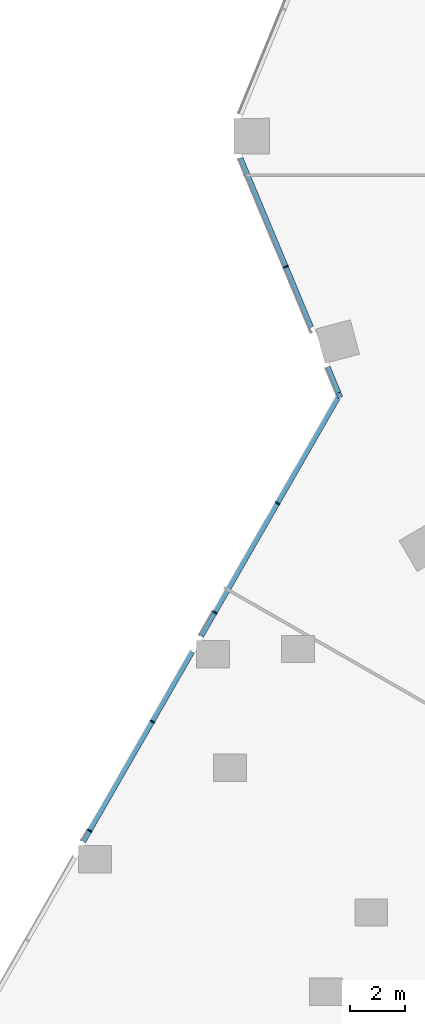
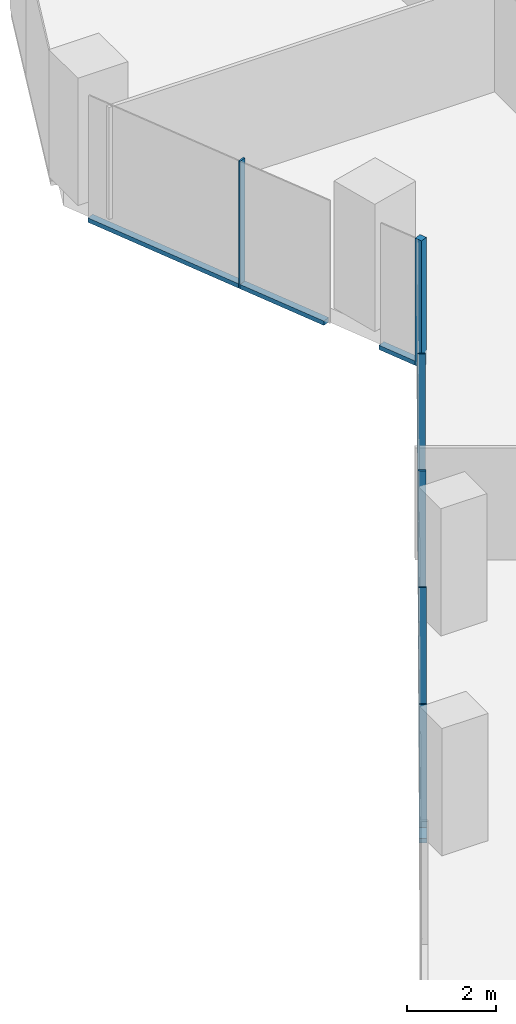
# One storey, part 7 of 34: 10 members, 2 elements without a shape of their own.
"""IFC4 building model written with IfcOpenShell, lengths in metres."""

from ifc_helpers import new_model, si_unit, direction, frame, origin, origin_2d, place, context, subcontext, project, spatial, rectangle, extrude, material, material_profile, profile_set, type_object, element, aggregate, save


model = new_model("IFC4")

# Units and contexts
model_context = context("Model", 3, precision=1e-05, world=origin(), true_north=direction((0.0, 1.0)))
body_context = subcontext(model_context, "Body", "Model", "MODEL_VIEW")
ifc_project = project(units=[si_unit("LENGTHUNIT", "METRE"), si_unit("AREAUNIT", "SQUARE_METRE"), si_unit("VOLUMEUNIT", "CUBIC_METRE"), si_unit("PLANEANGLEUNIT", "RADIAN"), si_unit("MASSUNIT", "GRAM", prefix="KILO")], contexts=[model_context])

# Site, building, storey
site_placement = place(None, origin())
site = spatial("IfcSite", under=ifc_project, at=site_placement, CompositionType="ELEMENT")
building_placement = place(site_placement, origin())
building = spatial("IfcBuilding", under=site, at=building_placement, Name="Orlundy Tower", CompositionType="ELEMENT")
storey_placement = place(building_placement, frame((0.0, 0.0, 109.199951171875)))
storey = spatial("IfcBuildingStorey", under=building, at=storey_placement, Name="L27", CompositionType="ELEMENT", Elevation=109.199951171875)

# Curtain wall, member
ifc_material_1 = material(Name="Aluminium bronze anodised", Category="aluminium")
curtain_wall_type = type_object("IfcCurtainWallType", Name="CW1 wall", PredefinedType="NOTDEFINED", material=ifc_material_1)
curtain_wall_1_placement = place(storey_placement, origin())
curtain_wall_1 = element("IfcCurtainWall", 1, at=curtain_wall_1_placement, inside=storey, type_object=curtain_wall_type, Name="CW1 run 013", PredefinedType="NOTDEFINED")
ifc_material_2 = material(Name="Aluminium bronze anodised", Category="aluminium")
ifc_material_profile_1 = material_profile(ifc_material_2, rectangle(XDim=0.179931640625, YDim=0.179931640625, at=origin_2d()), Name="CW1 corner post 180x180")
ifc_profile_set_1 = profile_set([ifc_material_profile_1], Name="Aluminium bronze anodised")
member_type_1 = type_object("IfcMemberType", Name="CW1 corner post 180x180", PredefinedType="MULLION", material=ifc_profile_set_1)
member_1_placement = place(storey_placement, frame((-28.627197265625, -9.53466796875, -0.39990234375), z_axis=(0.0, 0.0, 1.0), x_axis=(-0.922773195223, -0.385343522299, 0.0)))
member_1 = element("IfcMember", 2, at=member_1_placement, type_object=member_type_1, Name="CW1 mullion 32", PredefinedType="MULLION", context=body_context, shape_type="SweptSolid", body=[
    extrude(rectangle(XDim=0.179931640625, YDim=0.179931640625, at=origin_2d()), origin(), (0.0, 0.0, 1.0), 3.5),
])

# Curtain wall, members
curtain_wall_2_placement = place(storey_placement, origin())
curtain_wall_2 = element("IfcCurtainWall", 3, at=curtain_wall_2_placement, inside=storey, type_object=curtain_wall_type, Name="CW1 run 012", PredefinedType="NOTDEFINED")
ifc_material_3 = material(Name="Aluminium bronze anodised", Category="aluminium")
ifc_material_profile_2 = material_profile(ifc_material_3, rectangle(XDim=0.179931640625, YDim=0.050048828125, at=origin_2d()), Name="CW1 mullion 50x180")
ifc_profile_set_2 = profile_set([ifc_material_profile_2], Name="Aluminium bronze anodised")
member_type_2 = type_object("IfcMemberType", Name="CW1 mullion 50x180", PredefinedType="MULLION", material=ifc_profile_set_2)
member_2_placement = place(storey_placement, frame((-37.73583984375, -25.418212890625, -0.39990234375), z_axis=(0.0, 0.0, 1.0), x_axis=(-0.867482152182, 0.497468306172, 0.0)))
member_2 = element("IfcMember", 4, at=member_2_placement, type_object=member_type_2, Name="CW1 mullion 28", PredefinedType="MULLION", context=body_context, shape_type="SweptSolid", body=[
    extrude(rectangle(XDim=0.179931640625, YDim=0.050048828125, at=origin_2d()), origin(), (0.0, 0.0, 1.0), 3.5),
])
member_3_placement = place(storey_placement, frame((-35.453125, -21.437744140625, -0.39990234375), z_axis=(0.0, 0.0, 1.0), x_axis=(-0.867482152182, 0.497468306172, 0.0)))
member_3 = element("IfcMember", 5, at=member_3_placement, type_object=member_type_2, Name="CW1 mullion 29", PredefinedType="MULLION", context=body_context, shape_type="SweptSolid", body=[
    extrude(rectangle(XDim=0.179931640625, YDim=0.050048828125, at=origin_2d()), origin(), (0.0, 0.0, 1.0), 3.5),
])
member_4_placement = place(storey_placement, frame((-33.17041015625, -17.457275390625, -0.39990234375), z_axis=(0.0, 0.0, 1.0), x_axis=(-0.867482152182, 0.497468306172, 0.0)))
member_4 = element("IfcMember", 6, at=member_4_placement, type_object=member_type_2, Name="CW1 mullion 30", PredefinedType="MULLION", context=body_context, shape_type="SweptSolid", body=[
    extrude(rectangle(XDim=0.179931640625, YDim=0.050048828125, at=origin_2d()), origin(), (0.0, 0.0, 1.0), 3.5),
])
member_5_placement = place(storey_placement, frame((-30.8876953125, -13.476806640625, -0.39990234375), z_axis=(0.0, 0.0, 1.0), x_axis=(-0.867482152182, 0.497468306172, 0.0)))
member_5 = element("IfcMember", 7, at=member_5_placement, type_object=member_type_2, Name="CW1 mullion 31", PredefinedType="MULLION", context=body_context, shape_type="SweptSolid", body=[
    extrude(rectangle(XDim=0.179931640625, YDim=0.050048828125, at=origin_2d()), origin(), (0.0, 0.0, 1.0), 3.5),
])

# Member
member_6_placement = place(storey_placement, frame((-30.58251953125, -4.852294921875, -0.39990234375), z_axis=(0.0, 0.0, 1.0), x_axis=(-0.922773195223, -0.385343522299, 0.0)))
member_6 = element("IfcMember", 8, at=member_6_placement, type_object=member_type_2, Name="CW1 mullion 33", PredefinedType="MULLION", context=body_context, shape_type="SweptSolid", body=[
    extrude(rectangle(XDim=0.179931640625, YDim=0.050048828125, at=origin_2d()), origin(), (0.0, 0.0, 1.0), 3.5),
])

ifc_material_4 = material(Name="Aluminium bronze anodised", Category="aluminium")
ifc_material_profile_3 = material_profile(ifc_material_4, rectangle(XDim=0.179931640625, YDim=0.1201171875, at=origin_2d()), Name="CW1 transom 180x120")
ifc_profile_set_3 = profile_set([ifc_material_profile_3], Name="Aluminium bronze anodised")
member_type_3 = type_object("IfcMemberType", Name="CW1 transom 180x120", PredefinedType="USERDEFINED", material=ifc_profile_set_3)
member_7_placement = place(storey_placement, frame((-37.96337890625, -25.81494140625, -0.33984375), z_axis=(0.497476885388, 0.867477232269, 0.0), x_axis=(-0.867477232269, 0.497476885388, 0.0)))
member_7 = element("IfcMember", 9, at=member_7_placement, type_object=member_type_3, Name="CW1 transom", ObjectType="TRANSOM", PredefinedType="USERDEFINED", context=body_context, shape_type="SweptSolid", body=[
    extrude(rectangle(XDim=0.179931640625, YDim=0.1201171875, at=origin_2d()), origin(), (0.0, 0.0, 1.0), 7.974853515625),
])

member_8_placement = place(storey_placement, frame((-33.668701171875, -18.325927734375, -0.33984375), z_axis=(0.497473834069, 0.867478982118, 0.0), x_axis=(-0.867478982118, 0.497473834069, 0.0)))
member_8 = element("IfcMember", 10, at=member_8_placement, type_object=member_type_3, Name="CW1 transom", ObjectType="TRANSOM", PredefinedType="USERDEFINED", context=body_context, shape_type="SweptSolid", body=[
    extrude(rectangle(XDim=0.179931640625, YDim=0.1201171875, at=origin_2d()), origin(), (0.0, 0.0, 1.0), 10.020751953125),
])

aggregate(curtain_wall_2, [member_2, member_3, member_4, member_5, member_7, member_8])

member_9_placement = place(storey_placement, frame((-28.661865234375, -9.45166015625, -0.33984375), z_axis=(-0.385292880354, 0.922794341307, 0.0), x_axis=(-0.922794341307, -0.385292880354, 0.0)))
member_9 = element("IfcMember", 11, at=member_9_placement, type_object=member_type_3, Name="CW1 transom", ObjectType="TRANSOM", PredefinedType="USERDEFINED", context=body_context, shape_type="SweptSolid", body=[
    extrude(rectangle(XDim=0.179931640625, YDim=0.1201171875, at=origin_2d()), origin(), (0.0, 0.0, 1.0), 1.0234375),
])

member_10_placement = place(storey_placement, frame((-29.658935546875, -7.06396484375, -0.33984375), z_axis=(-0.385343838264, 0.922773063278, 0.0), x_axis=(-0.922773063278, -0.385343838264, 0.0)))
member_10 = element("IfcMember", 12, at=member_10_placement, type_object=member_type_3, Name="CW1 transom", ObjectType="TRANSOM", PredefinedType="USERDEFINED", context=body_context, shape_type="SweptSolid", body=[
    extrude(rectangle(XDim=0.179931640625, YDim=0.1201171875, at=origin_2d()), origin(), (0.0, 0.0, 1.0), 6.68603515625),
])

aggregate(curtain_wall_1, [member_1, member_6, member_9, member_10])

save(model, "model.ifc")
